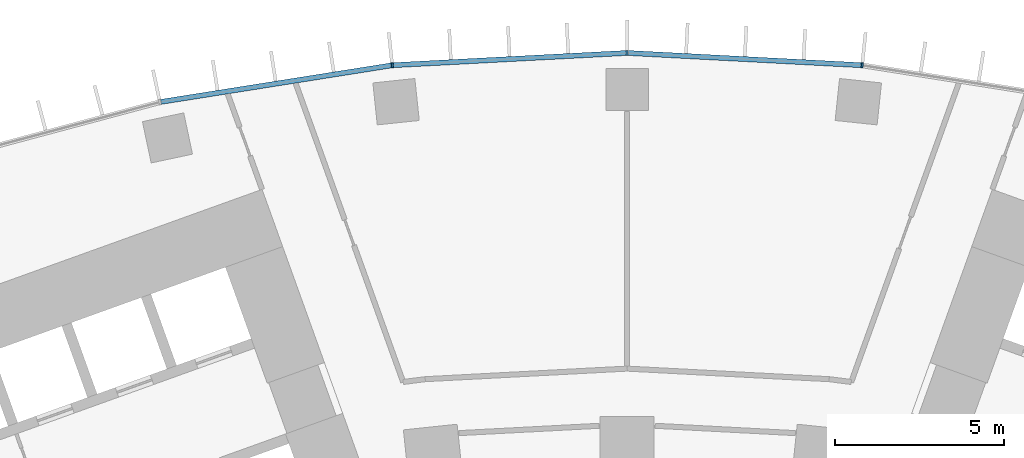
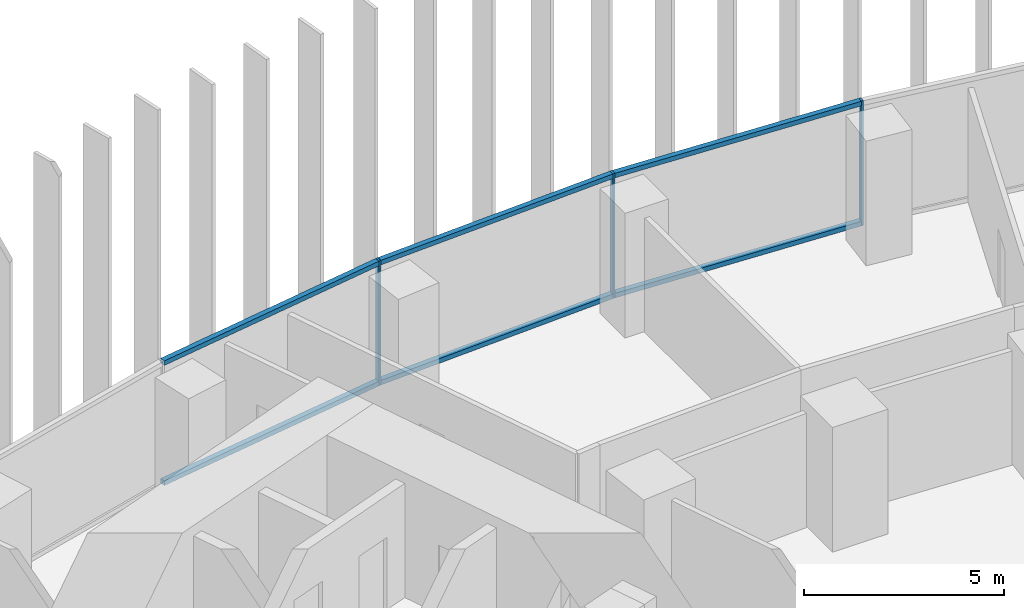
# One storey, part 8 of 24: 9 members, 1 element without a shape of its own.
"""IFC4 building model written with IfcOpenShell, lengths in metres."""

import ifcopenshell
import ifcopenshell.guid

model = None  # the IFC model being written
_history = None  # IfcOwnerHistory: only IFC2X3 demands one
_inside = {}  # id of a spatial element -> (the spatial element, [elements in it])
_under = {}  # id of a project, library or spatial element -> (it, [spatial elements below it])
_declared = {}  # id of a project -> (the project, [libraries it declares])
_typed = {}  # id of a type object -> (the type object, [elements of that type])
_made_of = {}  # id of a material, layer set ... -> (it, [elements and type objects made of it])


def new_model(schema):
    """Start an empty IFC model of exactly this schema.

    Asked for "IFC4X3", IfcOpenShell would pick the latest addendum, in which some entities
    have other attributes; the version numbers below select the first issue.
    IFC2X3 requires an IfcOwnerHistory on every rooted entity: one is made here for all.
    """
    global model, _history
    if schema == "IFC4X3":
        model = ifcopenshell.file(schema_version=(4, 3, 0, 0))
    else:
        model = ifcopenshell.file(schema=schema)
    _inside.clear()
    _under.clear()
    _declared.clear()
    _typed.clear()
    _made_of.clear()
    _history = None
    if model.schema == "IFC2X3":
        org = make("IfcOrganization", Name="unknown")
        user = make(
            "IfcPersonAndOrganization",
            ThePerson=make("IfcPerson", FamilyName="unknown"),
            TheOrganization=org,
        )
        app = make(
            "IfcApplication",
            ApplicationDeveloper=org,
            Version="unknown",
            ApplicationFullName="unknown",
            ApplicationIdentifier="unknown",
        )
        _history = make(
            "IfcOwnerHistory",
            OwningUser=user,
            OwningApplication=app,
            ChangeAction="ADDED",
            CreationDate=0,
        )
    return model


def make(cls, **values):
    """One entity of the class cls with the attributes given. An attribute that is None is left unset."""
    return model.create_entity(
        cls, **{name: value for name, value in values.items() if value is not None}
    )


def rooted(cls, **values):
    """An entity with a GlobalId (a new one), such as an element, a storey or a relation."""
    return make(cls, GlobalId=ifcopenshell.guid.new(), OwnerHistory=_history, **values)


def si_unit(unit_type, name, prefix=None):
    """IfcSIUnit, for example si_unit("LENGTHUNIT", "METRE", prefix="MILLI")."""
    return make("IfcSIUnit", UnitType=unit_type, Prefix=prefix, Name=name)


def assignment(units):
    """IfcUnitAssignment: the units of a project."""
    return None if units is None else make("IfcUnitAssignment", Units=units)


def point(xyz):
    """IfcCartesianPoint."""
    return None if xyz is None else make("IfcCartesianPoint", Coordinates=xyz)


def direction(xyz):
    """IfcDirection."""
    return None if xyz is None else make("IfcDirection", DirectionRatios=xyz)


def frame(location, z_axis=None, x_axis=None):
    """IfcAxis2Placement3D, a coordinate frame: its origin and axes. An axis left out is left unset."""
    return make(
        "IfcAxis2Placement3D",
        Location=point(location),
        Axis=direction(z_axis),
        RefDirection=direction(x_axis),
    )


def frame_2d(location, x_axis=None):
    """IfcAxis2Placement2D, a coordinate frame in the plane: its origin and x axis."""
    return make(
        "IfcAxis2Placement2D", Location=point(location), RefDirection=direction(x_axis)
    )


def origin():
    """The frame at (0, 0, 0) with its axes left unset."""
    return frame((0.0, 0.0, 0.0))


def origin_2d():
    """The frame at (0, 0) in the plane with its x axis left unset."""
    return frame_2d((0.0, 0.0))


def place(relative_to, where):
    """IfcLocalPlacement: puts the frame where relative to a parent placement (None: the world)."""
    return make(
        "IfcLocalPlacement", PlacementRelTo=relative_to, RelativePlacement=where
    )


def context(
    kind, dimensions, precision=None, world=None, true_north=None, identifier=None
):
    """IfcGeometricRepresentationContext, for example the 3D "Model" context."""
    return make(
        "IfcGeometricRepresentationContext",
        ContextIdentifier=identifier,
        ContextType=kind,
        CoordinateSpaceDimension=dimensions,
        Precision=precision,
        WorldCoordinateSystem=world,
        TrueNorth=true_north,
    )


def subcontext(parent, identifier, kind, view, scale=None):
    """IfcGeometricRepresentationSubContext, for example "Body" below "Model"."""
    return make(
        "IfcGeometricRepresentationSubContext",
        ContextIdentifier=identifier,
        ContextType=kind,
        ParentContext=parent,
        TargetScale=scale,
        TargetView=view,
    )


def project(units=None, contexts=None):
    """IfcProject with its units and contexts."""
    return rooted(
        "IfcProject",
        Name="project",
        RepresentationContexts=contexts,
        UnitsInContext=assignment(units),
    )


def spatial(cls, under=None, at=None, **own):
    """A site, building, storey or space (cls), placed at a placement, below another one or the project."""
    s = rooted(cls, ObjectPlacement=at, **own)
    if under is not None:
        _under.setdefault(under.id(), (under, []))[1].append(s)
    return s


def profile(cls, at=None, kind="AREA", **sizes):
    """A parametric profile (cls). Its sizes go by their IFC names, for example OverallWidth=200.0."""
    return make(cls, ProfileType=kind, Position=at, **sizes)


def rectangle(**sizes):
    """IfcRectangleProfileDef."""
    return profile("IfcRectangleProfileDef", **sizes)


def extrude(swept, where, along, depth):
    """IfcExtrudedAreaSolid: the profile swept, set in the frame where, extruded along a direction by depth."""
    return make(
        "IfcExtrudedAreaSolid",
        SweptArea=swept,
        Position=where,
        ExtrudedDirection=direction(along),
        Depth=depth,
    )


def shape(context_of_items, identifier, shape_type, items):
    """IfcShapeRepresentation: the items that make up one representation, for example the "Body"."""
    return make(
        "IfcShapeRepresentation",
        ContextOfItems=context_of_items,
        RepresentationIdentifier=identifier,
        RepresentationType=shape_type,
        Items=items,
    )


def material(Name=None, Category=None):
    """IfcMaterial."""
    return make("IfcMaterial", Name=Name, Category=Category)


def layer(
    of_material, thickness, ventilated=None, Name=None, Category=None, Priority=None
):
    """IfcMaterialLayer: one layer of a wall or slab, of a material (None: an air gap)."""
    return make(
        "IfcMaterialLayer",
        Material=of_material,
        LayerThickness=thickness,
        IsVentilated=ventilated,
        Name=Name,
        Category=Category,
        Priority=Priority,
    )


def layer_set(layers, Name=None):
    """IfcMaterialLayerSet."""
    return make("IfcMaterialLayerSet", MaterialLayers=layers, LayerSetName=Name)


def material_profile(
    of_material, cross_section, Name=None, Category=None, Priority=None
):
    """IfcMaterialProfile: a cross section and its material."""
    return make(
        "IfcMaterialProfile",
        Name=Name,
        Material=of_material,
        Profile=cross_section,
        Priority=Priority,
        Category=Category,
    )


def profile_set(profiles, Name=None, composite=None):
    """IfcMaterialProfileSet."""
    return make(
        "IfcMaterialProfileSet",
        Name=Name,
        MaterialProfiles=profiles,
        CompositeProfile=composite,
    )


def made_of(thing, what):
    """Note that an element or type object is made of a material, layer set ...; save() writes the relation."""
    if what is not None:
        _made_of.setdefault(what.id(), (what, []))[1].append(thing)
    return thing


def type_object(cls, material=None, **own):
    """A type object (cls), such as IfcWallType, which elements share."""
    return made_of(rooted(cls, **own), material)


def element(
    cls,
    number,
    at=None,
    inside=None,
    cuts=None,
    type_object=None,
    material=None,
    context=None,
    identifier="Body",
    shape_type=None,
    held_by="IfcProductDefinitionShape",
    body=None,
    shapes=None,
    **own,
):
    """One element of the class cls, such as IfcWall. Its Tag is "e" and its number.

    at: its placement. inside: the storey or other place that contains it. cuts: it is an
    opening in that element (IfcRelVoidsElement). A single representation is given by context,
    identifier, shape_type and body (its items); several are given by shapes. held_by: the class
    of the entity that holds the representations. save() writes the other relations.
    """
    e = rooted(cls, Tag="e%d" % number, ObjectPlacement=at, **own)
    if body is not None:
        shapes = [shape(context, identifier, shape_type, body)]
    if shapes is not None:
        e.Representation = make(held_by, Representations=shapes)
    if inside is not None:
        _inside.setdefault(inside.id(), (inside, []))[1].append(e)
    if cuts is not None:
        rooted(
            "IfcRelVoidsElement", RelatingBuildingElement=cuts, RelatedOpeningElement=e
        )
    if type_object is not None:
        _typed.setdefault(type_object.id(), (type_object, []))[1].append(e)
    return made_of(e, material)


def aggregate(whole, parts):
    """IfcRelAggregates: a whole, such as a stair, and the parts it consists of."""
    return rooted("IfcRelAggregates", RelatingObject=whole, RelatedObjects=parts)


def save(model, path):
    """Write the relations noted so far, then the file.

    IfcRelAggregates (storeys below a building ...), IfcRelContainedInSpatialStructure (elements
    in a storey), IfcRelDefinesByType, IfcRelAssociatesMaterial and IfcRelDeclares: one each for
    every whole, place, type object, material and project.
    """
    for whole, parts in _under.values():
        aggregate(whole, parts)
    for where, things in _inside.values():
        rooted(
            "IfcRelContainedInSpatialStructure",
            RelatedElements=things,
            RelatingStructure=where,
        )
    for kind, things in _typed.values():
        rooted("IfcRelDefinesByType", RelatedObjects=things, RelatingType=kind)
    for what, things in _made_of.values():
        rooted("IfcRelAssociatesMaterial", RelatedObjects=things, RelatingMaterial=what)
    for by, libraries in _declared.values():
        rooted("IfcRelDeclares", RelatingContext=by, RelatedDefinitions=libraries)
    model.write(path)


model = new_model("IFC4")

# Units and contexts
model_context = context("Model", 3, precision=1e-05, world=origin(), true_north=direction((0.0, 1.0)))
body_context = subcontext(model_context, "Body", "Model", "MODEL_VIEW")
ifc_project = project(units=[si_unit("LENGTHUNIT", "METRE"), si_unit("AREAUNIT", "SQUARE_METRE"), si_unit("VOLUMEUNIT", "CUBIC_METRE"), si_unit("PLANEANGLEUNIT", "RADIAN"), si_unit("MASSUNIT", "GRAM", prefix="KILO")], contexts=[model_context])

# Site, building, storey
site_placement = place(None, origin())
site = spatial("IfcSite", under=ifc_project, at=site_placement, CompositionType="ELEMENT")
building_placement = place(site_placement, origin())
building = spatial("IfcBuilding", under=site, at=building_placement, Name="Stone Belt Terrace Tower", CompositionType="ELEMENT")
storey_placement = place(building_placement, frame((0.0, 0.0, 64.199951171875)))
storey = spatial("IfcBuildingStorey", under=building, at=storey_placement, Name="L15", CompositionType="ELEMENT", Elevation=64.199951171875)

# Curtain wall, members
ifc_material = material(Name="Aluminium 6063-T6 anodised frame", Category="aluminium")
ifc_layer = layer(ifc_material, 0.14990234375)
ifc_layer_set = layer_set([ifc_layer], Name="CW-A unitised convex-face curtain wall")
curtain_wall_type = type_object("IfcCurtainWallType", Name="CW-A unitised convex-face curtain wall", PredefinedType="NOTDEFINED", material=ifc_layer_set)
curtain_wall_placement = place(storey_placement, origin())
curtain_wall = element("IfcCurtainWall", 1, at=curtain_wall_placement, inside=storey, type_object=curtain_wall_type, Name="CW-A convex face L15", PredefinedType="NOTDEFINED")
ifc_material_profile_1 = material_profile(ifc_material, rectangle(XDim=0.14990234375, YDim=0.06005859375, at=origin_2d()), Name="Aluminium 6063-T6 60x150")
ifc_profile_set_1 = profile_set([ifc_material_profile_1], Name="Aluminium 6063-T6 anodised frame")
member_type_1 = type_object("IfcMemberType", Name="CW-A mullion 60 x 150", PredefinedType="MULLION", material=ifc_profile_set_1)
member_1_placement = place(storey_placement, frame((6.958984375, 66.21044921875, 0.0), z_axis=(0.0, 0.0, 1.0), x_axis=(-0.104528463268, -0.994521895368, 0.0)))
member_1 = element("IfcMember", 2, at=member_1_placement, type_object=member_type_1, Name="CW-A mullion 8", PredefinedType="MULLION", context=body_context, shape_type="SweptSolid", body=[
    extrude(rectangle(XDim=0.14990234375, YDim=0.06005859375, at=origin_2d()), origin(), (0.0, 0.0, 1.0), 3.800048828125),
])
member_2_placement = place(storey_placement, frame((0.0, 66.5751953125, 0.0), z_axis=(0.0, 0.0, 1.0), x_axis=(0.0, -1.0, 0.0)))
member_2 = element("IfcMember", 3, at=member_2_placement, type_object=member_type_1, Name="CW-A mullion 9", PredefinedType="MULLION", context=body_context, shape_type="SweptSolid", body=[
    extrude(rectangle(XDim=0.14990234375, YDim=0.06005859375, at=origin_2d()), origin(), (0.0, 0.0, 1.0), 3.800048828125),
])
member_3_placement = place(storey_placement, frame((-6.958984375, 66.21044921875, 0.0), z_axis=(0.0, 0.0, 1.0), x_axis=(0.104528463268, -0.994521895368, 0.0)))
member_3 = element("IfcMember", 4, at=member_3_placement, type_object=member_type_1, Name="CW-A mullion 10", PredefinedType="MULLION", context=body_context, shape_type="SweptSolid", body=[
    extrude(rectangle(XDim=0.14990234375, YDim=0.06005859375, at=origin_2d()), origin(), (0.0, 0.0, 1.0), 3.800048828125),
])
ifc_material_profile_2 = material_profile(ifc_material, rectangle(XDim=0.14990234375, YDim=0.139892578125, at=origin_2d()), Name="Aluminium 6063-T6 150x140")
ifc_profile_set_2 = profile_set([ifc_material_profile_2], Name="Aluminium 6063-T6 anodised frame")
member_type_2 = type_object("IfcMemberType", Name="CW-A transom 140 x 150", PredefinedType="USERDEFINED", material=ifc_profile_set_2)
member_4_placement = place(storey_placement, frame((6.925048828125, 66.212158203125, 0.070068359375), z_axis=(-0.998630019135, 0.052326712899, 0.0), x_axis=(-0.052326712899, -0.998630019135, 0.0)))
member_4 = element("IfcMember", 5, at=member_4_placement, type_object=member_type_2, Name="CW-A transom 8.1", ObjectType="TRANSOM", PredefinedType="USERDEFINED", context=body_context, shape_type="SweptSolid", body=[
    extrude(rectangle(XDim=0.14990234375, YDim=0.139892578125, at=origin_2d()), origin(), (0.0, 0.0, 1.0), 6.900634765625),
])
member_5_placement = place(storey_placement, frame((6.925048828125, 66.212158203125, 3.72998046875), z_axis=(-0.998630019135, 0.052326712899, 0.0), x_axis=(-0.052326712899, -0.998630019135, 0.0)))
member_5 = element("IfcMember", 6, at=member_5_placement, type_object=member_type_2, Name="CW-A transom 8.2", ObjectType="TRANSOM", PredefinedType="USERDEFINED", context=body_context, shape_type="SweptSolid", body=[
    extrude(rectangle(XDim=0.14990234375, YDim=0.139892578125, at=origin_2d()), origin(), (0.0, 0.0, 1.0), 6.900634765625),
])
member_6_placement = place(storey_placement, frame((-0.033935546875, 66.5732421875, 0.070068359375), z_axis=(-0.998630019135, -0.052326712899, 0.0), x_axis=(0.052326712899, -0.998630019135, 0.0)))
member_6 = element("IfcMember", 7, at=member_6_placement, type_object=member_type_2, Name="CW-A transom 9.1", ObjectType="TRANSOM", PredefinedType="USERDEFINED", context=body_context, shape_type="SweptSolid", body=[
    extrude(rectangle(XDim=0.14990234375, YDim=0.139892578125, at=origin_2d()), origin(), (0.0, 0.0, 1.0), 6.900634765625),
])
member_7_placement = place(storey_placement, frame((-0.033935546875, 66.5732421875, 3.72998046875), z_axis=(-0.998630019135, -0.052326712899, 0.0), x_axis=(0.052326712899, -0.998630019135, 0.0)))
member_7 = element("IfcMember", 8, at=member_7_placement, type_object=member_type_2, Name="CW-A transom 9.2", ObjectType="TRANSOM", PredefinedType="USERDEFINED", context=body_context, shape_type="SweptSolid", body=[
    extrude(rectangle(XDim=0.14990234375, YDim=0.139892578125, at=origin_2d()), origin(), (0.0, 0.0, 1.0), 6.900634765625),
])
member_8_placement = place(storey_placement, frame((-6.992431640625, 66.205078125, 0.070068359375), z_axis=(-0.987687120531, -0.156442168027, 0.0), x_axis=(0.156442168027, -0.987687120531, 0.0)))
member_8 = element("IfcMember", 9, at=member_8_placement, type_object=member_type_2, Name="CW-A transom 10.1", ObjectType="TRANSOM", PredefinedType="USERDEFINED", context=body_context, shape_type="SweptSolid", body=[
    extrude(rectangle(XDim=0.14990234375, YDim=0.139892578125, at=origin_2d()), origin(), (0.0, 0.0, 1.0), 6.90087890625),
])
member_9_placement = place(storey_placement, frame((-6.992431640625, 66.205078125, 3.72998046875), z_axis=(-0.987687120531, -0.156442168027, 0.0), x_axis=(0.156442168027, -0.987687120531, 0.0)))
member_9 = element("IfcMember", 10, at=member_9_placement, type_object=member_type_2, Name="CW-A transom 10.2", ObjectType="TRANSOM", PredefinedType="USERDEFINED", context=body_context, shape_type="SweptSolid", body=[
    extrude(rectangle(XDim=0.14990234375, YDim=0.139892578125, at=origin_2d()), origin(), (0.0, 0.0, 1.0), 6.90087890625),
])
aggregate(curtain_wall, [member_1, member_2, member_3, member_4, member_5, member_6, member_7, member_8, member_9])

save(model, "model.ifc")
